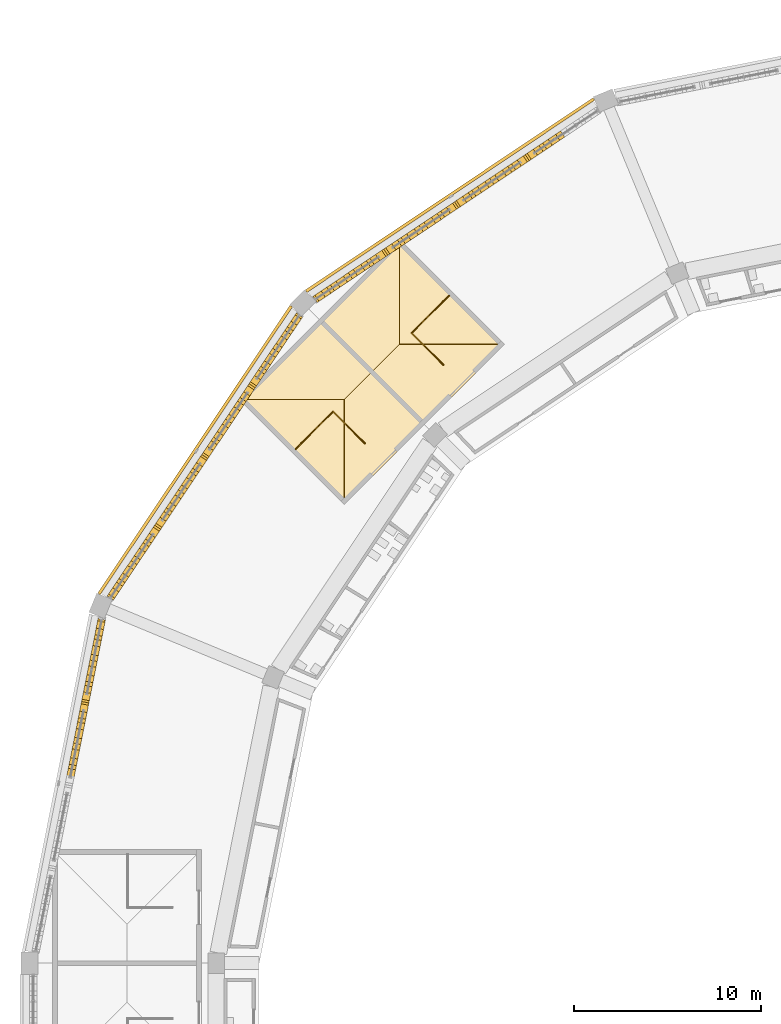
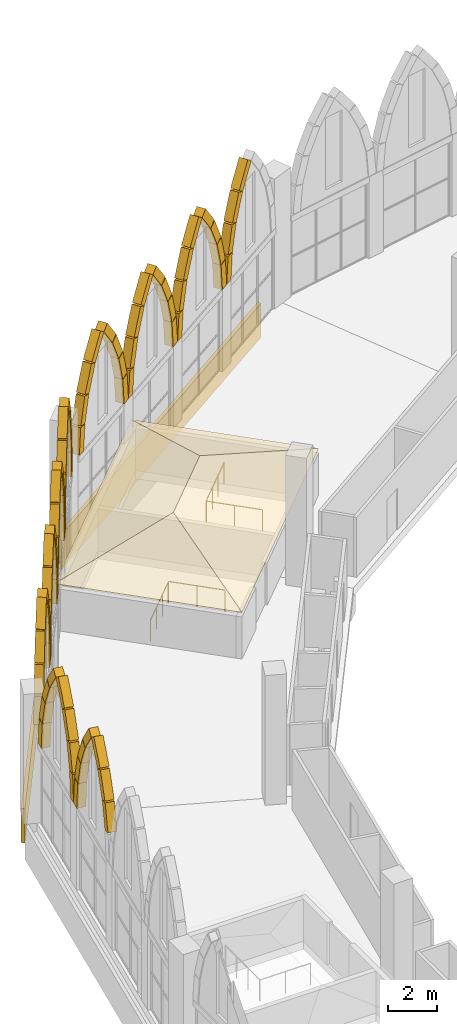
# One storey, part 116 of 130: 81 coverings, 4 railings.
"""IFC4 building model written with IfcOpenShell, lengths in metres."""

import ifcopenshell
import ifcopenshell.guid

model = None  # the IFC model being written
_history = None  # IfcOwnerHistory: only IFC2X3 demands one
_inside = {}  # id of a spatial element -> (the spatial element, [elements in it])
_under = {}  # id of a project, library or spatial element -> (it, [spatial elements below it])
_declared = {}  # id of a project -> (the project, [libraries it declares])
_typed = {}  # id of a type object -> (the type object, [elements of that type])
_made_of = {}  # id of a material, layer set ... -> (it, [elements and type objects made of it])


def new_model(schema):
    """Start an empty IFC model of exactly this schema.

    Asked for "IFC4X3", IfcOpenShell would pick the latest addendum, in which some entities
    have other attributes; the version numbers below select the first issue.
    IFC2X3 requires an IfcOwnerHistory on every rooted entity: one is made here for all.
    """
    global model, _history
    if schema == "IFC4X3":
        model = ifcopenshell.file(schema_version=(4, 3, 0, 0))
    else:
        model = ifcopenshell.file(schema=schema)
    _inside.clear()
    _under.clear()
    _declared.clear()
    _typed.clear()
    _made_of.clear()
    _history = None
    if model.schema == "IFC2X3":
        org = make("IfcOrganization", Name="unknown")
        user = make(
            "IfcPersonAndOrganization",
            ThePerson=make("IfcPerson", FamilyName="unknown"),
            TheOrganization=org,
        )
        app = make(
            "IfcApplication",
            ApplicationDeveloper=org,
            Version="unknown",
            ApplicationFullName="unknown",
            ApplicationIdentifier="unknown",
        )
        _history = make(
            "IfcOwnerHistory",
            OwningUser=user,
            OwningApplication=app,
            ChangeAction="ADDED",
            CreationDate=0,
        )
    return model


def make(cls, **values):
    """One entity of the class cls with the attributes given. An attribute that is None is left unset."""
    return model.create_entity(
        cls, **{name: value for name, value in values.items() if value is not None}
    )


def rooted(cls, **values):
    """An entity with a GlobalId (a new one), such as an element, a storey or a relation."""
    return make(cls, GlobalId=ifcopenshell.guid.new(), OwnerHistory=_history, **values)


def si_unit(unit_type, name, prefix=None):
    """IfcSIUnit, for example si_unit("LENGTHUNIT", "METRE", prefix="MILLI")."""
    return make("IfcSIUnit", UnitType=unit_type, Prefix=prefix, Name=name)


def assignment(units):
    """IfcUnitAssignment: the units of a project."""
    return None if units is None else make("IfcUnitAssignment", Units=units)


def point(xyz):
    """IfcCartesianPoint."""
    return None if xyz is None else make("IfcCartesianPoint", Coordinates=xyz)


def direction(xyz):
    """IfcDirection."""
    return None if xyz is None else make("IfcDirection", DirectionRatios=xyz)


def frame(location, z_axis=None, x_axis=None):
    """IfcAxis2Placement3D, a coordinate frame: its origin and axes. An axis left out is left unset."""
    return make(
        "IfcAxis2Placement3D",
        Location=point(location),
        Axis=direction(z_axis),
        RefDirection=direction(x_axis),
    )


def frame_2d(location, x_axis=None):
    """IfcAxis2Placement2D, a coordinate frame in the plane: its origin and x axis."""
    return make(
        "IfcAxis2Placement2D", Location=point(location), RefDirection=direction(x_axis)
    )


def origin():
    """The frame at (0, 0, 0) with its axes left unset."""
    return frame((0.0, 0.0, 0.0))


def origin_2d():
    """The frame at (0, 0) in the plane with its x axis left unset."""
    return frame_2d((0.0, 0.0))


def place(relative_to, where):
    """IfcLocalPlacement: puts the frame where relative to a parent placement (None: the world)."""
    return make(
        "IfcLocalPlacement", PlacementRelTo=relative_to, RelativePlacement=where
    )


def context(
    kind, dimensions, precision=None, world=None, true_north=None, identifier=None
):
    """IfcGeometricRepresentationContext, for example the 3D "Model" context."""
    return make(
        "IfcGeometricRepresentationContext",
        ContextIdentifier=identifier,
        ContextType=kind,
        CoordinateSpaceDimension=dimensions,
        Precision=precision,
        WorldCoordinateSystem=world,
        TrueNorth=true_north,
    )


def subcontext(parent, identifier, kind, view, scale=None):
    """IfcGeometricRepresentationSubContext, for example "Body" below "Model"."""
    return make(
        "IfcGeometricRepresentationSubContext",
        ContextIdentifier=identifier,
        ContextType=kind,
        ParentContext=parent,
        TargetScale=scale,
        TargetView=view,
    )


def project(units=None, contexts=None):
    """IfcProject with its units and contexts."""
    return rooted(
        "IfcProject",
        Name="project",
        RepresentationContexts=contexts,
        UnitsInContext=assignment(units),
    )


def spatial(cls, under=None, at=None, **own):
    """A site, building, storey or space (cls), placed at a placement, below another one or the project."""
    s = rooted(cls, ObjectPlacement=at, **own)
    if under is not None:
        _under.setdefault(under.id(), (under, []))[1].append(s)
    return s


def polyline(points):
    """IfcPolyline through the points."""
    return make("IfcPolyline", Points=[point(p) for p in points])


def profile(cls, at=None, kind="AREA", **sizes):
    """A parametric profile (cls). Its sizes go by their IFC names, for example OverallWidth=200.0."""
    return make(cls, ProfileType=kind, Position=at, **sizes)


def rectangle(**sizes):
    """IfcRectangleProfileDef."""
    return profile("IfcRectangleProfileDef", **sizes)


def circle(**sizes):
    """IfcCircleProfileDef."""
    return profile("IfcCircleProfileDef", **sizes)


def outline(outer, holes=None, kind="AREA"):
    """IfcArbitraryClosedProfileDef: a profile drawn as a closed curve; with holes, ...WithVoids."""
    if holes is None:
        return make("IfcArbitraryClosedProfileDef", ProfileType=kind, OuterCurve=outer)
    return make(
        "IfcArbitraryProfileDefWithVoids",
        ProfileType=kind,
        OuterCurve=outer,
        InnerCurves=holes,
    )


def extrude(swept, where, along, depth):
    """IfcExtrudedAreaSolid: the profile swept, set in the frame where, extruded along a direction by depth."""
    return make(
        "IfcExtrudedAreaSolid",
        SweptArea=swept,
        Position=where,
        ExtrudedDirection=direction(along),
        Depth=depth,
    )


def shape(context_of_items, identifier, shape_type, items):
    """IfcShapeRepresentation: the items that make up one representation, for example the "Body"."""
    return make(
        "IfcShapeRepresentation",
        ContextOfItems=context_of_items,
        RepresentationIdentifier=identifier,
        RepresentationType=shape_type,
        Items=items,
    )


def material(Name=None, Category=None):
    """IfcMaterial."""
    return make("IfcMaterial", Name=Name, Category=Category)


def layer(
    of_material, thickness, ventilated=None, Name=None, Category=None, Priority=None
):
    """IfcMaterialLayer: one layer of a wall or slab, of a material (None: an air gap)."""
    return make(
        "IfcMaterialLayer",
        Material=of_material,
        LayerThickness=thickness,
        IsVentilated=ventilated,
        Name=Name,
        Category=Category,
        Priority=Priority,
    )


def layer_set(layers, Name=None):
    """IfcMaterialLayerSet."""
    return make("IfcMaterialLayerSet", MaterialLayers=layers, LayerSetName=Name)


def material_profile(
    of_material, cross_section, Name=None, Category=None, Priority=None
):
    """IfcMaterialProfile: a cross section and its material."""
    return make(
        "IfcMaterialProfile",
        Name=Name,
        Material=of_material,
        Profile=cross_section,
        Priority=Priority,
        Category=Category,
    )


def profile_set(profiles, Name=None, composite=None):
    """IfcMaterialProfileSet."""
    return make(
        "IfcMaterialProfileSet",
        Name=Name,
        MaterialProfiles=profiles,
        CompositeProfile=composite,
    )


def made_of(thing, what):
    """Note that an element or type object is made of a material, layer set ...; save() writes the relation."""
    if what is not None:
        _made_of.setdefault(what.id(), (what, []))[1].append(thing)
    return thing


def type_object(cls, material=None, **own):
    """A type object (cls), such as IfcWallType, which elements share."""
    return made_of(rooted(cls, **own), material)


def element(
    cls,
    number,
    at=None,
    inside=None,
    cuts=None,
    type_object=None,
    material=None,
    context=None,
    identifier="Body",
    shape_type=None,
    held_by="IfcProductDefinitionShape",
    body=None,
    shapes=None,
    **own,
):
    """One element of the class cls, such as IfcWall. Its Tag is "e" and its number.

    at: its placement. inside: the storey or other place that contains it. cuts: it is an
    opening in that element (IfcRelVoidsElement). A single representation is given by context,
    identifier, shape_type and body (its items); several are given by shapes. held_by: the class
    of the entity that holds the representations. save() writes the other relations.
    """
    e = rooted(cls, Tag="e%d" % number, ObjectPlacement=at, **own)
    if body is not None:
        shapes = [shape(context, identifier, shape_type, body)]
    if shapes is not None:
        e.Representation = make(held_by, Representations=shapes)
    if inside is not None:
        _inside.setdefault(inside.id(), (inside, []))[1].append(e)
    if cuts is not None:
        rooted(
            "IfcRelVoidsElement", RelatingBuildingElement=cuts, RelatedOpeningElement=e
        )
    if type_object is not None:
        _typed.setdefault(type_object.id(), (type_object, []))[1].append(e)
    return made_of(e, material)


def aggregate(whole, parts):
    """IfcRelAggregates: a whole, such as a stair, and the parts it consists of."""
    return rooted("IfcRelAggregates", RelatingObject=whole, RelatedObjects=parts)


def save(model, path):
    """Write the relations noted so far, then the file.

    IfcRelAggregates (storeys below a building ...), IfcRelContainedInSpatialStructure (elements
    in a storey), IfcRelDefinesByType, IfcRelAssociatesMaterial and IfcRelDeclares: one each for
    every whole, place, type object, material and project.
    """
    for whole, parts in _under.values():
        aggregate(whole, parts)
    for where, things in _inside.values():
        rooted(
            "IfcRelContainedInSpatialStructure",
            RelatedElements=things,
            RelatingStructure=where,
        )
    for kind, things in _typed.values():
        rooted("IfcRelDefinesByType", RelatedObjects=things, RelatingType=kind)
    for what, things in _made_of.values():
        rooted("IfcRelAssociatesMaterial", RelatedObjects=things, RelatingMaterial=what)
    for by, libraries in _declared.values():
        rooted("IfcRelDeclares", RelatingContext=by, RelatedDefinitions=libraries)
    model.write(path)


model = new_model("IFC4")

# Units and contexts
model_context = context("Model", 3, precision=1e-05, world=origin(), true_north=direction((0.0, 1.0)))
body_context = subcontext(model_context, "Body", "Model", "MODEL_VIEW")
ifc_project = project(units=[si_unit("LENGTHUNIT", "METRE"), si_unit("AREAUNIT", "SQUARE_METRE"), si_unit("VOLUMEUNIT", "CUBIC_METRE"), si_unit("PLANEANGLEUNIT", "RADIAN"), si_unit("MASSUNIT", "GRAM", prefix="KILO")], contexts=[model_context])

# Site, building, storey
site_placement = place(None, origin())
site = spatial("IfcSite", under=ifc_project, at=site_placement, CompositionType="ELEMENT")
building_placement = place(site_placement, origin())
building = spatial("IfcBuilding", under=site, at=building_placement, Name="Ogive Plaza Stadium", CompositionType="ELEMENT")
storey_placement = place(building_placement, frame((0.0, 0.0, 22.5)))
storey = spatial("IfcBuildingStorey", under=building, at=storey_placement, Name="L05", CompositionType="ELEMENT", Elevation=22.5)

# Railings
ifc_material_1 = material(Name="Steel ASTM A572 Grade 50", Category="steel")
railing_type = type_object("IfcRailingType", Name="Guard 1100", PredefinedType="GUARDRAIL", material=ifc_material_1)
railing_1_placement = place(storey_placement, frame((-61.84228515625, 84.549560546875, 0.0)))
element("IfcRailing", 1, at=railing_1_placement, inside=storey, type_object=railing_type, Name="Stair well guard ST30A L05", PredefinedType="GUARDRAIL", context=body_context, shape_type="SweptSolid", body=[
    extrude(circle(Radius=0.02392578125, at=origin_2d()), frame((0.0, 0.0, 1.076171875), z_axis=(-0.707106781187, 0.707106781187, 0.0), x_axis=(-0.707106781187, -0.707106781187, 0.0)), (0.0, 0.0, 1.0), 2.39990234375),
    extrude(circle(Radius=0.02099609375, at=origin_2d()), origin(), (0.0, 0.0, 1.0), 1.052001953125),
    extrude(circle(Radius=0.02099609375, at=origin_2d()), frame((-0.8486328125, 0.8486328125, 0.0)), (0.0, 0.0, 1.0), 1.052001953125),
    extrude(circle(Radius=0.02099609375, at=origin_2d()), frame((-1.697021484375, 1.697021484375, 0.0)), (0.0, 0.0, 1.0), 1.052001953125),
])
railing_2_placement = place(storey_placement, frame((-61.524169921875, 88.261962890625, 0.0)))
element("IfcRailing", 2, at=railing_2_placement, inside=storey, type_object=railing_type, Name="Stair guard ST30A L05", PredefinedType="GUARDRAIL", context=body_context, shape_type="SweptSolid", body=[
    extrude(circle(Radius=0.02392578125, at=origin_2d()), frame((0.0, 0.0, 1.076171875), z_axis=(-0.707106781187, -0.707106781187, 0.0), x_axis=(0.707106781187, -0.707106781187, 0.0)), (0.0, 0.0, 1.0), 2.800048828125),
    extrude(circle(Radius=0.02099609375, at=origin_2d()), origin(), (0.0, 0.0, 1.0), 1.052001953125),
    extrude(circle(Radius=0.02099609375, at=origin_2d()), frame((-0.659912109375, -0.659912109375, 0.0)), (0.0, 0.0, 1.0), 1.052001953125),
    extrude(circle(Radius=0.02099609375, at=origin_2d()), frame((-1.320068359375, -1.320068359375, 0.0)), (0.0, 0.0, 1.0), 1.052001953125),
    extrude(circle(Radius=0.02099609375, at=origin_2d()), frame((-1.97998046875, -1.97998046875, 0.0)), (0.0, 0.0, 1.0), 1.052001953125),
])
railing_3_placement = place(storey_placement, frame((-66.049560546875, 80.34228515625, 0.0)))
element("IfcRailing", 3, at=railing_3_placement, inside=storey, type_object=railing_type, Name="Stair well guard ST30B L05", PredefinedType="GUARDRAIL", context=body_context, shape_type="SweptSolid", body=[
    extrude(circle(Radius=0.02392578125, at=origin_2d()), frame((0.0, 0.0, 1.076171875), z_axis=(-0.707106781187, 0.707106781187, 0.0), x_axis=(-0.707106781187, -0.707106781187, 0.0)), (0.0, 0.0, 1.0), 2.39990234375),
    extrude(circle(Radius=0.02099609375, at=origin_2d()), origin(), (0.0, 0.0, 1.0), 1.052001953125),
    extrude(circle(Radius=0.02099609375, at=origin_2d()), frame((-0.8486328125, 0.8486328125, 0.0)), (0.0, 0.0, 1.0), 1.052001953125),
    extrude(circle(Radius=0.02099609375, at=origin_2d()), frame((-1.697021484375, 1.697021484375, 0.0)), (0.0, 0.0, 1.0), 1.052001953125),
])
railing_4_placement = place(storey_placement, frame((-67.781982421875, 82.004150390625, 0.0)))
element("IfcRailing", 4, at=railing_4_placement, inside=storey, type_object=railing_type, Name="Stair guard ST30B L05", PredefinedType="GUARDRAIL", context=body_context, shape_type="SweptSolid", body=[
    extrude(circle(Radius=0.02392578125, at=origin_2d()), frame((0.0, 0.0, 1.076171875), z_axis=(-0.707106781187, -0.707106781187, 0.0), x_axis=(0.707106781187, -0.707106781187, 0.0)), (0.0, 0.0, 1.0), 2.800048828125),
    extrude(circle(Radius=0.02099609375, at=origin_2d()), origin(), (0.0, 0.0, 1.0), 1.052001953125),
    extrude(circle(Radius=0.02099609375, at=origin_2d()), frame((-0.659912109375, -0.659912109375, 0.0)), (0.0, 0.0, 1.0), 1.052001953125),
    extrude(circle(Radius=0.02099609375, at=origin_2d()), frame((-1.320068359375, -1.320068359375, 0.0)), (0.0, 0.0, 1.0), 1.052001953125),
    extrude(circle(Radius=0.02099609375, at=origin_2d()), frame((-1.97998046875, -1.97998046875, 0.0)), (0.0, 0.0, 1.0), 1.052001953125),
])

# Coverings
ifc_material_2 = material(Name="Cast stone (reconstituted limestone)", Category="masonry")
ifc_material_profile = material_profile(ifc_material_2, rectangle(XDim=0.39990234375, YDim=0.39990234375, at=origin_2d()), Name="Cast stone 400x400")
ifc_profile_set = profile_set([ifc_material_profile], Name="Cast stone (reconstituted limestone)")
covering_type_1 = type_object("IfcCoveringType", Name="Precast arch rib 400x400", PredefinedType="MOLDING", material=ifc_profile_set)
for number, where, z_axis, x_axis, name in (
    (5, (-81.836669921875, 62.35107421875, 5.46484375), (0.053636661243, 0.269296870115, 0.961562428715), (-0.980736343344, 0.195336184167, 0.0), "ARCH RIB B28 3.2"),
    (6, (-81.763427734375, 62.718505859375, 6.764404296875), (0.087228179253, 0.438367998716, 0.894552817024), (-0.980771851845, 0.1951578198, 0.0), "ARCH RIB B28 3.3"),
    (7, (-81.64501953125, 63.314453125, 7.97265625), (0.117858999987, 0.592635884975, 0.796801081803), (-0.980792755139, 0.195052740217, 0.0), "ARCH RIB B28 3.4"),
    (8, (-81.427734375, 64.40673828125, 9.020751953125), (0.117858999987, 0.592635884975, -0.796801081803), (-0.980792755139, 0.195052740217, 0.0), "ARCH RIB B28 3.5"),
):
    element("IfcCovering", number, at=place(storey_placement, frame(where, z_axis=z_axis, x_axis=x_axis)), inside=storey, type_object=covering_type_1, Name=name, PredefinedType="MOLDING", context=body_context, shape_type="SweptSolid", body=[
        extrude(rectangle(XDim=0.39990234375, YDim=0.39990234375, at=origin_2d()), origin(), (0.0, 0.0, 1.0), 1.3154296875),
    ])
covering_1_placement = place(storey_placement, frame((-81.268798828125, 65.205322265625, 7.941162109375), z_axis=(0.087221081948, 0.438517907749, -0.894480031888), x_axis=(-0.980787656855, 0.195078374406, 0.0)))
element("IfcCovering", 9, at=covering_1_placement, inside=storey, type_object=covering_type_1, Name="ARCH RIB B28 3.6", PredefinedType="MOLDING", context=body_context, shape_type="SweptSolid", body=[
    extrude(rectangle(XDim=0.39990234375, YDim=0.39990234375, at=origin_2d()), origin(), (0.0, 0.0, 1.0), 1.315673828125),
])
covering_2_placement = place(storey_placement, frame((-81.1513671875, 65.79541015625, 6.729736328125), z_axis=(0.05345426927, 0.269127397366, -0.961620031553), x_axis=(-0.980839982587, 0.194815113783, 0.0)))
element("IfcCovering", 10, at=covering_2_placement, inside=storey, type_object=covering_type_1, Name="ARCH RIB B28 3.7", PredefinedType="MOLDING", context=body_context, shape_type="SweptSolid", body=[
    extrude(rectangle(XDim=0.39990234375, YDim=0.39990234375, at=origin_2d()), origin(), (0.0, 0.0, 1.0), 1.3154296875),
])
for number, where, z_axis, x_axis, name in (
    (11, (-81.07958984375, 66.15625, 5.428466796875), (0.017999267855, 0.090738577123, -0.99571207534), (-0.980888062615, 0.194572887676, 0.0), "ARCH RIB B28 3.8"),
    (12, (-80.9775390625, 66.669677734375, 4.118408203125), (0.017999267855, 0.090738577123, 0.99571207534), (-0.980888062615, 0.194572887676, 0.0), "ARCH RIB B28 4.1"),
):
    element("IfcCovering", number, at=place(storey_placement, frame(where, z_axis=z_axis, x_axis=x_axis)), inside=storey, type_object=covering_type_1, Name=name, PredefinedType="MOLDING", context=body_context, shape_type="SweptSolid", body=[
        extrude(rectangle(XDim=0.39990234375, YDim=0.39990234375, at=origin_2d()), origin(), (0.0, 0.0, 1.0), 1.315673828125),
    ])
for number, where, z_axis, x_axis, name in (
    (13, (-80.952392578125, 66.795654296875, 5.46484375), (0.053451598433, 0.269299546271, 0.961571984307), (-0.98086562999, 0.194685941721, 0.0), "ARCH RIB B28 4.2"),
    (14, (-80.87939453125, 67.1630859375, 6.764404296875), (0.087228179253, 0.438367998716, 0.894552817024), (-0.980771851845, 0.1951578198, 0.0), "ARCH RIB B28 4.3"),
    (15, (-80.760986328125, 67.759033203125, 7.97265625), (0.118042020515, 0.592622911172, 0.796783638478), (-0.98073395066, 0.195348196874, 0.0), "ARCH RIB B28 4.4"),
    (16, (-80.543701171875, 68.85107421875, 9.020751953125), (0.117846036075, 0.592756282244, -0.796713437593), (-0.980804436306, 0.194993994068, 0.0), "ARCH RIB B28 4.5"),
):
    element("IfcCovering", number, at=place(storey_placement, frame(where, z_axis=z_axis, x_axis=x_axis)), inside=storey, type_object=covering_type_1, Name=name, PredefinedType="MOLDING", context=body_context, shape_type="SweptSolid", body=[
        extrude(rectangle(XDim=0.39990234375, YDim=0.39990234375, at=origin_2d()), origin(), (0.0, 0.0, 1.0), 1.3154296875),
    ])
covering_3_placement = place(storey_placement, frame((-80.384765625, 69.64990234375, 7.941162109375), z_axis=(0.087221081948, 0.438517907749, -0.894480031888), x_axis=(-0.980787656855, 0.195078374406, 0.0)))
element("IfcCovering", 17, at=covering_3_placement, inside=storey, type_object=covering_type_1, Name="ARCH RIB B28 4.6", PredefinedType="MOLDING", context=body_context, shape_type="SweptSolid", body=[
    extrude(rectangle(XDim=0.39990234375, YDim=0.39990234375, at=origin_2d()), origin(), (0.0, 0.0, 1.0), 1.315673828125),
])
covering_4_placement = place(storey_placement, frame((-80.267333984375, 70.23974609375, 6.729736328125), z_axis=(0.053451598433, 0.269299546271, -0.961571984307), x_axis=(-0.98086562999, 0.194685941721, 0.0)))
element("IfcCovering", 18, at=covering_4_placement, inside=storey, type_object=covering_type_1, Name="ARCH RIB B28 4.7", PredefinedType="MOLDING", context=body_context, shape_type="SweptSolid", body=[
    extrude(rectangle(XDim=0.39990234375, YDim=0.39990234375, at=origin_2d()), origin(), (0.0, 0.0, 1.0), 1.3154296875),
])
covering_5_placement = place(storey_placement, frame((-80.195556640625, 70.6005859375, 5.428466796875), z_axis=(0.017998964492, 0.090922604132, -0.995695293418), x_axis=(-0.98096377988, 0.194190789078, 0.0)))
element("IfcCovering", 19, at=covering_5_placement, inside=storey, type_object=covering_type_1, Name="ARCH RIB B28 4.8", PredefinedType="MOLDING", context=body_context, shape_type="SweptSolid", body=[
    extrude(rectangle(XDim=0.39990234375, YDim=0.39990234375, at=origin_2d()), origin(), (0.0, 0.0, 1.0), 1.315673828125),
])
covering_6_placement = place(storey_placement, frame((-79.560302734375, 72.222412109375, 4.11865234375), z_axis=(0.051719720781, 0.0774868935, 0.995650968873), x_axis=(-0.831744041741, 0.555159300588, 0.0)))
element("IfcCovering", 20, at=covering_6_placement, inside=storey, type_object=covering_type_1, Name="ARCH RIB B29 1.1", PredefinedType="MOLDING", context=body_context, shape_type="SweptSolid", body=[
    extrude(rectangle(XDim=0.39990234375, YDim=0.39990234375, at=origin_2d()), origin(), (0.0, 0.0, 1.0), 1.31689453125),
])
for number, where, z_axis, x_axis, name in (
    (21, (-79.48828125, 72.330322265625, 5.466552734375), (0.15330384955, 0.229492340681, 0.961161378376), (-0.831533260563, 0.555474964851, 0.0), "ARCH RIB B29 1.2"),
    (22, (-79.27880859375, 72.64404296875, 6.76708984375), (0.249869155246, 0.37369155562, 0.893263693718), (-0.831288257815, 0.55584155334, 0.0), "ARCH RIB B29 1.3"),
    (23, (-78.938720703125, 73.15283203125, 7.97509765625), (0.337370569381, 0.504943643404, 0.794489154049), (-0.831486336441, 0.555545202762, 0.0), "ARCH RIB B29 1.4"),
):
    element("IfcCovering", number, at=place(storey_placement, frame(where, z_axis=z_axis, x_axis=x_axis)), inside=storey, type_object=covering_type_1, Name=name, PredefinedType="MOLDING", context=body_context, shape_type="SweptSolid", body=[
        extrude(rectangle(XDim=0.39990234375, YDim=0.39990234375, at=origin_2d()), origin(), (0.0, 0.0, 1.0), 1.317138671875),
    ])
covering_7_placement = place(storey_placement, frame((-78.31787109375, 74.08203125, 9.021484375), z_axis=(0.337503233104, 0.505050142893, -0.794365105482), x_axis=(-0.831439559977, 0.555615206869, 0.0)))
element("IfcCovering", 24, at=covering_7_placement, inside=storey, type_object=covering_type_1, Name="ARCH RIB B29 1.5", PredefinedType="MOLDING", context=body_context, shape_type="SweptSolid", body=[
    extrude(rectangle(XDim=0.39990234375, YDim=0.39990234375, at=origin_2d()), origin(), (0.0, 0.0, 1.0), 1.3173828125),
])
for number, where, z_axis, x_axis, name in (
    (25, (-77.8623046875, 74.763671875, 7.943603515625), (0.249678053229, 0.373868324694, -0.893243161478), (-0.83160601404, 0.555366039124, 0.0), "ARCH RIB B29 1.6"),
    (26, (-77.52587890625, 75.267333984375, 6.732421875), (0.15347832726, 0.229661409993, -0.961093148358), (-0.831430345233, 0.555628995846, 0.0), "ARCH RIB B29 1.7"),
):
    element("IfcCovering", number, at=place(storey_placement, frame(where, z_axis=z_axis, x_axis=x_axis)), inside=storey, type_object=covering_type_1, Name=name, PredefinedType="MOLDING", context=body_context, shape_type="SweptSolid", body=[
        extrude(rectangle(XDim=0.39990234375, YDim=0.39990234375, at=origin_2d()), origin(), (0.0, 0.0, 1.0), 1.317138671875),
    ])
for number, where, z_axis, x_axis, name in (
    (27, (-77.31982421875, 75.57568359375, 5.429931640625), (0.051720462819, 0.077302627224, -0.995665253763), (-0.831129250627, 0.556079282794, 0.0), "ARCH RIB B29 1.8"),
    (28, (-77.028564453125, 76.011474609375, 4.11865234375), (0.051719720781, 0.0774868935, 0.995650968873), (-0.831744041741, 0.555159300588, 0.0), "ARCH RIB B29 2.1"),
):
    element("IfcCovering", number, at=place(storey_placement, frame(where, z_axis=z_axis, x_axis=x_axis)), inside=storey, type_object=covering_type_1, Name=name, PredefinedType="MOLDING", context=body_context, shape_type="SweptSolid", body=[
        extrude(rectangle(XDim=0.39990234375, YDim=0.39990234375, at=origin_2d()), origin(), (0.0, 0.0, 1.0), 1.31689453125),
    ])
for number, where, z_axis, x_axis, name in (
    (29, (-76.95654296875, 76.119384765625, 5.466552734375), (0.153484858629, 0.229485815196, 0.961134048297), (-0.831223002932, 0.555939132817, 0.0), "ARCH RIB B29 2.2"),
    (30, (-76.7470703125, 76.43310546875, 6.76708984375), (0.249869155246, 0.37369155562, 0.893263693718), (-0.831288257815, 0.55584155334, 0.0), "ARCH RIB B29 2.3"),
    (31, (-76.406982421875, 76.94189453125, 7.97509765625), (0.337534823983, 0.504912059598, 0.794439459412), (-0.83134533247, 0.555756185913, 0.0), "ARCH RIB B29 2.4"),
    (32, (-75.785888671875, 77.87109375, 9.021484375), (0.337338989926, 0.505081729422, -0.794414786166), (-0.831580508376, 0.555404229448, 0.0), "ARCH RIB B29 2.5"),
    (33, (-75.33056640625, 78.552734375, 7.943603515625), (0.249851844681, 0.373851016855, -0.89320180973), (-0.831415590492, 0.555651073864, 0.0), "ARCH RIB B29 2.6"),
    (34, (-74.993896484375, 79.056396484375, 6.732421875), (0.153297325513, 0.229667939915, -0.961120474949), (-0.831740333912, 0.555164855646, 0.0), "ARCH RIB B29 2.7"),
):
    element("IfcCovering", number, at=place(storey_placement, frame(where, z_axis=z_axis, x_axis=x_axis)), inside=storey, type_object=covering_type_1, Name=name, PredefinedType="MOLDING", context=body_context, shape_type="SweptSolid", body=[
        extrude(rectangle(XDim=0.39990234375, YDim=0.39990234375, at=origin_2d()), origin(), (0.0, 0.0, 1.0), 1.317138671875),
    ])
for number, where, z_axis, x_axis, name in (
    (35, (-74.7880859375, 79.36474609375, 5.429931640625), (0.051720462819, 0.077302627224, -0.995665253763), (-0.831129250627, 0.556079282794, 0.0), "ARCH RIB B29 2.8"),
    (36, (-74.496826171875, 79.800537109375, 4.11865234375), (0.051719720781, 0.0774868935, 0.995650968873), (-0.831744041741, 0.555159300588, 0.0), "ARCH RIB B29 3.1"),
):
    element("IfcCovering", number, at=place(storey_placement, frame(where, z_axis=z_axis, x_axis=x_axis)), inside=storey, type_object=covering_type_1, Name=name, PredefinedType="MOLDING", context=body_context, shape_type="SweptSolid", body=[
        extrude(rectangle(XDim=0.39990234375, YDim=0.39990234375, at=origin_2d()), origin(), (0.0, 0.0, 1.0), 1.31689453125),
    ])
for number, where, z_axis, x_axis, name in (
    (37, (-74.4248046875, 79.908447265625, 5.466552734375), (0.153484858629, 0.229485815196, 0.961134048297), (-0.831223002932, 0.555939132817, 0.0), "ARCH RIB B29 3.2"),
    (38, (-74.215087890625, 80.22216796875, 6.76708984375), (0.249695353355, 0.373708858474, 0.893305054061), (-0.831478782802, 0.555556508152, 0.0), "ARCH RIB B29 3.3"),
    (39, (-73.875244140625, 80.73095703125, 7.97509765625), (0.337534823983, 0.504912059598, 0.794439459412), (-0.83134533247, 0.555756185913, 0.0), "ARCH RIB B29 3.4"),
    (40, (-73.254150390625, 81.660400390625, 9.021484375), (0.337370569381, 0.504943643404, -0.794489154049), (-0.831486336441, 0.555545202762, 0.0), "ARCH RIB B29 3.5"),
    (41, (-72.798828125, 82.342041015625, 7.943603515625), (0.249869155246, 0.37369155562, -0.893263693718), (-0.831288257815, 0.55584155334, 0.0), "ARCH RIB B29 3.6"),
    (42, (-72.462158203125, 82.845458984375, 6.732421875), (0.153297325513, 0.229667939915, -0.961120474949), (-0.831740333912, 0.555164855646, 0.0), "ARCH RIB B29 3.7"),
):
    element("IfcCovering", number, at=place(storey_placement, frame(where, z_axis=z_axis, x_axis=x_axis)), inside=storey, type_object=covering_type_1, Name=name, PredefinedType="MOLDING", context=body_context, shape_type="SweptSolid", body=[
        extrude(rectangle(XDim=0.39990234375, YDim=0.39990234375, at=origin_2d()), origin(), (0.0, 0.0, 1.0), 1.317138671875),
    ])
for number, where, z_axis, x_axis, name in (
    (43, (-72.25634765625, 83.15380859375, 5.429931640625), (0.051720462819, 0.077302627224, -0.995665253763), (-0.831129250627, 0.556079282794, 0.0), "ARCH RIB B29 3.8"),
    (44, (-71.965087890625, 83.58984375, 4.11865234375), (0.051905342272, 0.077301884741, 0.995655690517), (-0.830207968105, 0.557453791533, 0.0), "ARCH RIB B29 4.1"),
):
    element("IfcCovering", number, at=place(storey_placement, frame(where, z_axis=z_axis, x_axis=x_axis)), inside=storey, type_object=covering_type_1, Name=name, PredefinedType="MOLDING", context=body_context, shape_type="SweptSolid", body=[
        extrude(rectangle(XDim=0.39990234375, YDim=0.39990234375, at=origin_2d()), origin(), (0.0, 0.0, 1.0), 1.31689453125),
    ])
for number, where, z_axis, x_axis, name in (
    (45, (-71.89306640625, 83.697509765625, 5.466552734375), (0.153484858629, 0.229485815196, 0.961134048297), (-0.831223002932, 0.555939132817, 0.0), "ARCH RIB B29 4.2"),
    (46, (-71.683349609375, 84.01123046875, 6.76708984375), (0.249695353355, 0.373708858474, 0.893305054061), (-0.831478782802, 0.555556508152, 0.0), "ARCH RIB B29 4.3"),
    (47, (-71.343505859375, 84.52001953125, 7.97509765625), (0.337534823983, 0.504912059598, 0.794439459412), (-0.83134533247, 0.555756185913, 0.0), "ARCH RIB B29 4.4"),
    (48, (-70.722412109375, 85.449462890625, 9.021484375), (0.337534823983, 0.504912059598, -0.794439459412), (-0.83134533247, 0.555756185913, 0.0), "ARCH RIB B29 4.5"),
    (49, (-70.266845703125, 86.131103515625, 7.943603515625), (0.249695353355, 0.373708858474, -0.893305054061), (-0.831478782802, 0.555556508152, 0.0), "ARCH RIB B29 4.6"),
    (50, (-69.930419921875, 86.634765625, 6.732421875), (0.153484858629, 0.229485815196, -0.961134048297), (-0.831223002932, 0.555939132817, 0.0), "ARCH RIB B29 4.7"),
):
    element("IfcCovering", number, at=place(storey_placement, frame(where, z_axis=z_axis, x_axis=x_axis)), inside=storey, type_object=covering_type_1, Name=name, PredefinedType="MOLDING", context=body_context, shape_type="SweptSolid", body=[
        extrude(rectangle(XDim=0.39990234375, YDim=0.39990234375, at=origin_2d()), origin(), (0.0, 0.0, 1.0), 1.317138671875),
    ])
for number, where, z_axis, x_axis, name in (
    (51, (-69.724609375, 86.94287109375, 5.429931640625), (0.051720462819, 0.077302627224, -0.995665253763), (-0.831129250627, 0.556079282794, 0.0), "ARCH RIB B29 4.8"),
    (52, (-68.544677734375, 88.156494140625, 4.11865234375), (0.077302627224, 0.051720462819, 0.995665253763), (-0.556079282794, 0.831129250627, 0.0), "ARCH RIB B30 1.1"),
):
    element("IfcCovering", number, at=place(storey_placement, frame(where, z_axis=z_axis, x_axis=x_axis)), inside=storey, type_object=covering_type_1, Name=name, PredefinedType="MOLDING", context=body_context, shape_type="SweptSolid", body=[
        extrude(rectangle(XDim=0.39990234375, YDim=0.39990234375, at=origin_2d()), origin(), (0.0, 0.0, 1.0), 1.31689453125),
    ])
for number, where, z_axis, x_axis, name in (
    (53, (-68.43701171875, 88.228271484375, 5.466552734375), (0.229485815196, 0.153484858629, 0.961134048297), (-0.555939132817, 0.831223002932, 0.0), "ARCH RIB B30 1.2"),
    (54, (-68.123291015625, 88.43798828125, 6.76708984375), (0.373708858474, 0.249695353355, 0.893305054061), (-0.555556508152, 0.831478782802, 0.0), "ARCH RIB B30 1.3"),
    (55, (-67.614501953125, 88.77783203125, 7.97509765625), (0.504912059598, 0.337534823983, 0.794439459412), (-0.555756185913, 0.83134533247, 0.0), "ARCH RIB B30 1.4"),
    (56, (-66.68505859375, 89.39892578125, 9.021484375), (0.504912059598, 0.337534823983, -0.794439459412), (-0.555756185913, 0.83134533247, 0.0), "ARCH RIB B30 1.5"),
    (57, (-66.00341796875, 89.8544921875, 7.943603515625), (0.373708858474, 0.249695353355, -0.893305054061), (-0.555556508152, 0.831478782802, 0.0), "ARCH RIB B30 1.6"),
    (58, (-65.499755859375, 90.19091796875, 6.732421875), (0.229485815196, 0.153484858629, -0.961134048297), (-0.555939132817, 0.831223002932, 0.0), "ARCH RIB B30 1.7"),
):
    element("IfcCovering", number, at=place(storey_placement, frame(where, z_axis=z_axis, x_axis=x_axis)), inside=storey, type_object=covering_type_1, Name=name, PredefinedType="MOLDING", context=body_context, shape_type="SweptSolid", body=[
        extrude(rectangle(XDim=0.39990234375, YDim=0.39990234375, at=origin_2d()), origin(), (0.0, 0.0, 1.0), 1.317138671875),
    ])
for number, where, z_axis, x_axis, name in (
    (59, (-65.191650390625, 90.396728515625, 5.429931640625), (0.077301884741, 0.051905342272, -0.995655690517), (-0.557453791533, 0.830207968105, 0.0), "ARCH RIB B30 1.8"),
    (60, (-64.755615234375, 90.688232421875, 4.11865234375), (0.077302627224, 0.051720462819, 0.995665253763), (-0.556079282794, 0.831129250627, 0.0), "ARCH RIB B30 2.1"),
):
    element("IfcCovering", number, at=place(storey_placement, frame(where, z_axis=z_axis, x_axis=x_axis)), inside=storey, type_object=covering_type_1, Name=name, PredefinedType="MOLDING", context=body_context, shape_type="SweptSolid", body=[
        extrude(rectangle(XDim=0.39990234375, YDim=0.39990234375, at=origin_2d()), origin(), (0.0, 0.0, 1.0), 1.31689453125),
    ])
for number, where, z_axis, x_axis, name in (
    (61, (-64.64794921875, 90.76025390625, 5.466552734375), (0.229667939915, 0.153297325513, 0.961120474949), (-0.555164855646, 0.831740333912, 0.0), "ARCH RIB B30 2.2"),
    (62, (-64.334228515625, 90.9697265625, 6.76708984375), (0.37369155562, 0.249869155246, 0.893263693718), (-0.55584155334, 0.831288257815, 0.0), "ARCH RIB B30 2.3"),
    (63, (-63.825439453125, 91.309814453125, 7.97509765625), (0.504943643404, 0.337370569381, 0.794489154049), (-0.555545202762, 0.831486336441, 0.0), "ARCH RIB B30 2.4"),
    (64, (-62.89599609375, 91.9306640625, 9.021484375), (0.504912059598, 0.337534823983, -0.794439459412), (-0.555756185913, 0.83134533247, 0.0), "ARCH RIB B30 2.5"),
    (65, (-62.21435546875, 92.38623046875, 7.943603515625), (0.373708858474, 0.249695353355, -0.893305054061), (-0.555556508152, 0.831478782802, 0.0), "ARCH RIB B30 2.6"),
    (66, (-61.710693359375, 92.72265625, 6.732421875), (0.229485815196, 0.153484858629, -0.961134048297), (-0.555939132817, 0.831223002932, 0.0), "ARCH RIB B30 2.7"),
):
    element("IfcCovering", number, at=place(storey_placement, frame(where, z_axis=z_axis, x_axis=x_axis)), inside=storey, type_object=covering_type_1, Name=name, PredefinedType="MOLDING", context=body_context, shape_type="SweptSolid", body=[
        extrude(rectangle(XDim=0.39990234375, YDim=0.39990234375, at=origin_2d()), origin(), (0.0, 0.0, 1.0), 1.317138671875),
    ])
for number, where, z_axis, x_axis, name in (
    (67, (-61.402587890625, 92.9287109375, 5.429931640625), (0.0774868935, 0.051719720781, -0.995650968873), (-0.555159300588, 0.831744041741, 0.0), "ARCH RIB B30 2.8"),
    (68, (-60.966552734375, 93.219970703125, 4.11865234375), (0.077302627224, 0.051720462819, 0.995665253763), (-0.556079282794, 0.831129250627, 0.0), "ARCH RIB B30 3.1"),
):
    element("IfcCovering", number, at=place(storey_placement, frame(where, z_axis=z_axis, x_axis=x_axis)), inside=storey, type_object=covering_type_1, Name=name, PredefinedType="MOLDING", context=body_context, shape_type="SweptSolid", body=[
        extrude(rectangle(XDim=0.39990234375, YDim=0.39990234375, at=origin_2d()), origin(), (0.0, 0.0, 1.0), 1.31689453125),
    ])
for number, where, z_axis, x_axis, name in (
    (69, (-60.85888671875, 93.2919921875, 5.466552734375), (0.229667939915, 0.153297325513, 0.961120474949), (-0.555164855646, 0.831740333912, 0.0), "ARCH RIB B30 3.2"),
    (70, (-60.545166015625, 93.50146484375, 6.76708984375), (0.373851016855, 0.249851844681, 0.89320180973), (-0.555651073864, 0.831415590492, 0.0), "ARCH RIB B30 3.3"),
    (71, (-60.036376953125, 93.841552734375, 7.97509765625), (0.505081729422, 0.337338989926, 0.794414786166), (-0.555404229448, 0.831580508376, 0.0), "ARCH RIB B30 3.4"),
    (72, (-59.10693359375, 94.46240234375, 9.021484375), (0.504912059598, 0.337534823983, -0.794439459412), (-0.555756185913, 0.83134533247, 0.0), "ARCH RIB B30 3.5"),
    (73, (-58.42529296875, 94.91796875, 7.943603515625), (0.37369155562, 0.249869155246, -0.893263693718), (-0.55584155334, 0.831288257815, 0.0), "ARCH RIB B30 3.6"),
    (74, (-57.921630859375, 95.25439453125, 6.732421875), (0.229485815196, 0.153484858629, -0.961134048297), (-0.555939132817, 0.831223002932, 0.0), "ARCH RIB B30 3.7"),
):
    element("IfcCovering", number, at=place(storey_placement, frame(where, z_axis=z_axis, x_axis=x_axis)), inside=storey, type_object=covering_type_1, Name=name, PredefinedType="MOLDING", context=body_context, shape_type="SweptSolid", body=[
        extrude(rectangle(XDim=0.39990234375, YDim=0.39990234375, at=origin_2d()), origin(), (0.0, 0.0, 1.0), 1.317138671875),
    ])
for number, where, z_axis, x_axis, name in (
    (75, (-57.613525390625, 95.46044921875, 5.429931640625), (0.0774868935, 0.051719720781, -0.995650968873), (-0.555159300588, 0.831744041741, 0.0), "ARCH RIB B30 3.8"),
    (76, (-57.177490234375, 95.751708984375, 4.11865234375), (0.077302627224, 0.051720462819, 0.995665253763), (-0.556079282794, 0.831129250627, 0.0), "ARCH RIB B30 4.1"),
):
    element("IfcCovering", number, at=place(storey_placement, frame(where, z_axis=z_axis, x_axis=x_axis)), inside=storey, type_object=covering_type_1, Name=name, PredefinedType="MOLDING", context=body_context, shape_type="SweptSolid", body=[
        extrude(rectangle(XDim=0.39990234375, YDim=0.39990234375, at=origin_2d()), origin(), (0.0, 0.0, 1.0), 1.31689453125),
    ])
for number, where, z_axis, x_axis, name in (
    (77, (-57.06982421875, 95.82373046875, 5.466552734375), (0.229661409993, 0.15347832726, 0.961093148358), (-0.555628995846, 0.831430345233, 0.0), "ARCH RIB B30 4.2"),
    (78, (-56.756103515625, 96.033447265625, 6.76708984375), (0.373868324694, 0.249678053229, 0.893243161478), (-0.555366039124, 0.83160601404, 0.0), "ARCH RIB B30 4.3"),
):
    element("IfcCovering", number, at=place(storey_placement, frame(where, z_axis=z_axis, x_axis=x_axis)), inside=storey, type_object=covering_type_1, Name=name, PredefinedType="MOLDING", context=body_context, shape_type="SweptSolid", body=[
        extrude(rectangle(XDim=0.39990234375, YDim=0.39990234375, at=origin_2d()), origin(), (0.0, 0.0, 1.0), 1.317138671875),
    ])
covering_8_placement = place(storey_placement, frame((-56.247314453125, 96.373291015625, 7.97509765625), z_axis=(0.505050142893, 0.337503233104, 0.794365105482), x_axis=(-0.555615206869, 0.831439559977, 0.0)))
element("IfcCovering", 79, at=covering_8_placement, inside=storey, type_object=covering_type_1, Name="ARCH RIB B30 4.4", PredefinedType="MOLDING", context=body_context, shape_type="SweptSolid", body=[
    extrude(rectangle(XDim=0.39990234375, YDim=0.39990234375, at=origin_2d()), origin(), (0.0, 0.0, 1.0), 1.3173828125),
])
ifc_material_3 = material(Name="Cast stone (reconstituted limestone)", Category="masonry")
ifc_layer_1 = layer(ifc_material_3, 0.159912109375)
ifc_layer_set_1 = layer_set([ifc_layer_1], Name="Precast spandrel cladding 160")
covering_type_2 = type_object("IfcCoveringType", Name="Precast spandrel cladding 160", PredefinedType="CLADDING", material=ifc_layer_set_1)
covering_9_placement = place(storey_placement, frame((0.0, 0.0, -1.7099609375)))
element("IfcCovering", 80, at=covering_9_placement, inside=storey, type_object=covering_type_2, Name="SPANDREL CLADDING B29 L05", PredefinedType="CLADDING", context=body_context, shape_type="SweptSolid", body=[
    extrude(outline(polyline([(-80.212158203125, 72.237060546875), (-69.919189453125, 87.641357421875), (-70.05224609375, 87.730224609375), (-80.34521484375, 72.325927734375), (-80.212158203125, 72.237060546875)])), origin(), (0.0, 0.0, 1.0), 1.7099609375),
])
covering_10_placement = place(storey_placement, frame((0.0, 0.0, -1.7099609375)))
element("IfcCovering", 81, at=covering_10_placement, inside=storey, type_object=covering_type_2, Name="SPANDREL CLADDING B30 L05", PredefinedType="CLADDING", context=body_context, shape_type="SweptSolid", body=[
    extrude(outline(polyline([(-69.141357421875, 88.419189453125), (-53.737060546875, 98.712158203125), (-53.825927734375, 98.84521484375), (-69.230224609375, 88.55224609375), (-69.141357421875, 88.419189453125)])), origin(), (0.0, 0.0, 1.0), 1.7099609375),
])
ifc_material_4 = material(Name="Zinc standing seam", Category="metal")
ifc_layer_2 = layer(ifc_material_4, 0.0400390625)
ifc_layer_set_2 = layer_set([ifc_layer_2], Name="Turret roof zinc standing seam 40")
covering_type_3 = type_object("IfcCoveringType", Name="Turret roof zinc standing seam 40", PredefinedType="ROOFING", material=ifc_layer_set_2)
covering_11_placement = place(storey_placement, frame((-64.182861328125, 91.274169921875, 2.337158203125), z_axis=(-0.263734666485, 0.263734666485, 0.927840531228), x_axis=(-0.707106781187, -0.707106781187, 0.0)))
element("IfcCovering", 82, at=covering_11_placement, inside=storey, type_object=covering_type_3, Name="Stair core roof facet R30 1", PredefinedType="ROOFING", context=body_context, shape_type="SweptSolid", body=[
    extrude(outline(polyline([(0.0, 0.0), (12.149945131813775, 0.0), (8.170052618758437, 4.289414375754761), (3.9798925130553386, 4.289414375754761), (0.0, 0.0)])), origin(), (0.0, 0.0, -1.0), 0.0400390625),
])
covering_12_placement = place(storey_placement, frame((-72.774169921875, 82.682861328125, 2.337158203125), z_axis=(-0.263735462147, -0.263724022743, 0.927843330436), x_axis=(0.707091445472, -0.707122116568, 0.0)))
element("IfcCovering", 83, at=covering_12_placement, inside=storey, type_object=covering_type_3, Name="Stair core roof facet R30 2", PredefinedType="ROOFING", context=body_context, shape_type="SweptSolid", body=[
    extrude(outline(polyline([(0.0, 0.0), (7.959957661474193, -8.881784197001252e-16), (3.9798061972456367, 4.289494461445401), (0.0, 0.0)])), origin(), (0.0, 0.0, -1.0), 0.0400390625),
])
covering_13_placement = place(storey_placement, frame((-67.145751953125, 77.05419921875, 2.337158203125), z_axis=(0.263724818379, -0.263724818379, 0.927846129669), x_axis=(0.707106781187, 0.707106781187, 0.0)))
element("IfcCovering", 84, at=covering_13_placement, inside=storey, type_object=covering_type_3, Name="Stair core roof facet R30 3", PredefinedType="ROOFING", context=body_context, shape_type="SweptSolid", body=[
    extrude(outline(polyline([(0.0, 0.0), (12.150290398796775, 0.0), (8.170225252249935, 4.289574552588472), (3.9800651465468393, 4.289574552588473), (0.0, 0.0)])), origin(), (0.0, 0.0, -1.0), 0.0400390625),
])
covering_14_placement = place(storey_placement, frame((-58.55419921875, 85.645751953125, 2.337158203125), z_axis=(0.263724022743, 0.263735462147, 0.927843330436), x_axis=(-0.707122116568, 0.707091445472, 0.0)))
element("IfcCovering", 85, at=covering_14_placement, inside=storey, type_object=covering_type_3, Name="Stair core roof facet R30 4", PredefinedType="ROOFING", context=body_context, shape_type="SweptSolid", body=[
    extrude(outline(polyline([(0.0, 0.0), (7.959957661474193, 8.881784197001252e-16), (3.9801514642285563, 4.289494461445402), (0.0, 0.0)])), origin(), (0.0, 0.0, -1.0), 0.0400390625),
])

save(model, "model.ifc")
